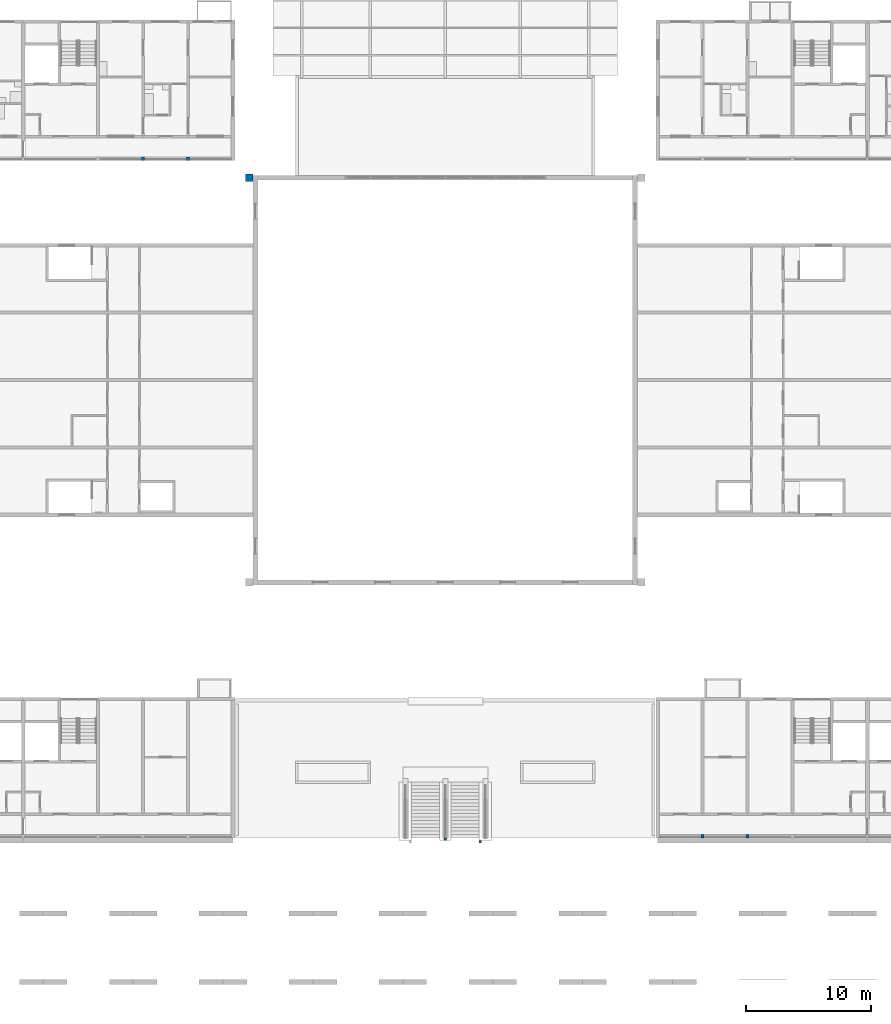
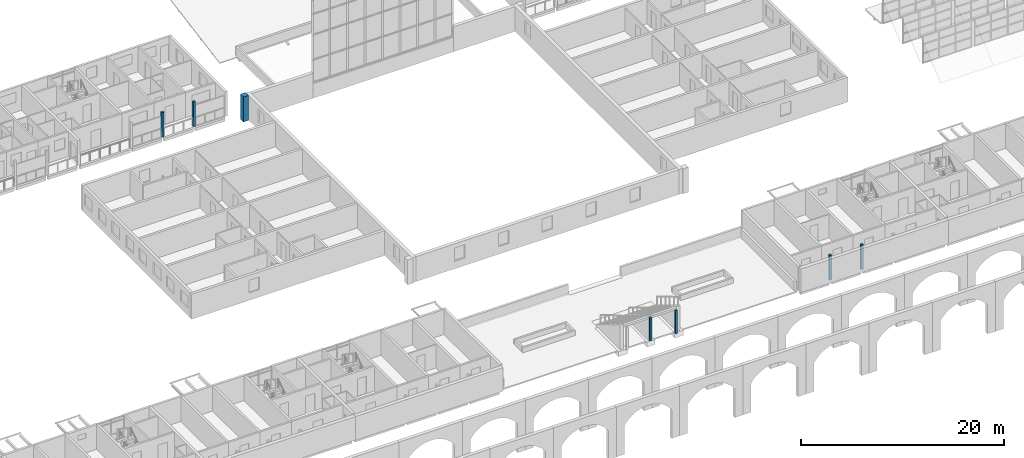
# One storey, part 5 of 122: 7 columns.
"""IFC4 building model written with IfcOpenShell, lengths in metres."""

import ifcopenshell
import ifcopenshell.guid

model = None  # the IFC model being written
_history = None  # IfcOwnerHistory: only IFC2X3 demands one
_inside = {}  # id of a spatial element -> (the spatial element, [elements in it])
_under = {}  # id of a project, library or spatial element -> (it, [spatial elements below it])
_declared = {}  # id of a project -> (the project, [libraries it declares])
_typed = {}  # id of a type object -> (the type object, [elements of that type])
_made_of = {}  # id of a material, layer set ... -> (it, [elements and type objects made of it])


def new_model(schema):
    """Start an empty IFC model of exactly this schema.

    Asked for "IFC4X3", IfcOpenShell would pick the latest addendum, in which some entities
    have other attributes; the version numbers below select the first issue.
    IFC2X3 requires an IfcOwnerHistory on every rooted entity: one is made here for all.
    """
    global model, _history
    if schema == "IFC4X3":
        model = ifcopenshell.file(schema_version=(4, 3, 0, 0))
    else:
        model = ifcopenshell.file(schema=schema)
    _inside.clear()
    _under.clear()
    _declared.clear()
    _typed.clear()
    _made_of.clear()
    _history = None
    if model.schema == "IFC2X3":
        org = make("IfcOrganization", Name="unknown")
        user = make(
            "IfcPersonAndOrganization",
            ThePerson=make("IfcPerson", FamilyName="unknown"),
            TheOrganization=org,
        )
        app = make(
            "IfcApplication",
            ApplicationDeveloper=org,
            Version="unknown",
            ApplicationFullName="unknown",
            ApplicationIdentifier="unknown",
        )
        _history = make(
            "IfcOwnerHistory",
            OwningUser=user,
            OwningApplication=app,
            ChangeAction="ADDED",
            CreationDate=0,
        )
    return model


def make(cls, **values):
    """One entity of the class cls with the attributes given. An attribute that is None is left unset."""
    return model.create_entity(
        cls, **{name: value for name, value in values.items() if value is not None}
    )


def rooted(cls, **values):
    """An entity with a GlobalId (a new one), such as an element, a storey or a relation."""
    return make(cls, GlobalId=ifcopenshell.guid.new(), OwnerHistory=_history, **values)


def si_unit(unit_type, name, prefix=None):
    """IfcSIUnit, for example si_unit("LENGTHUNIT", "METRE", prefix="MILLI")."""
    return make("IfcSIUnit", UnitType=unit_type, Prefix=prefix, Name=name)


def assignment(units):
    """IfcUnitAssignment: the units of a project."""
    return None if units is None else make("IfcUnitAssignment", Units=units)


def point(xyz):
    """IfcCartesianPoint."""
    return None if xyz is None else make("IfcCartesianPoint", Coordinates=xyz)


def direction(xyz):
    """IfcDirection."""
    return None if xyz is None else make("IfcDirection", DirectionRatios=xyz)


def frame(location, z_axis=None, x_axis=None):
    """IfcAxis2Placement3D, a coordinate frame: its origin and axes. An axis left out is left unset."""
    return make(
        "IfcAxis2Placement3D",
        Location=point(location),
        Axis=direction(z_axis),
        RefDirection=direction(x_axis),
    )


def frame_2d(location, x_axis=None):
    """IfcAxis2Placement2D, a coordinate frame in the plane: its origin and x axis."""
    return make(
        "IfcAxis2Placement2D", Location=point(location), RefDirection=direction(x_axis)
    )


def origin():
    """The frame at (0, 0, 0) with its axes left unset."""
    return frame((0.0, 0.0, 0.0))


def origin_2d():
    """The frame at (0, 0) in the plane with its x axis left unset."""
    return frame_2d((0.0, 0.0))


def place(relative_to, where):
    """IfcLocalPlacement: puts the frame where relative to a parent placement (None: the world)."""
    return make(
        "IfcLocalPlacement", PlacementRelTo=relative_to, RelativePlacement=where
    )


def context(
    kind, dimensions, precision=None, world=None, true_north=None, identifier=None
):
    """IfcGeometricRepresentationContext, for example the 3D "Model" context."""
    return make(
        "IfcGeometricRepresentationContext",
        ContextIdentifier=identifier,
        ContextType=kind,
        CoordinateSpaceDimension=dimensions,
        Precision=precision,
        WorldCoordinateSystem=world,
        TrueNorth=true_north,
    )


def subcontext(parent, identifier, kind, view, scale=None):
    """IfcGeometricRepresentationSubContext, for example "Body" below "Model"."""
    return make(
        "IfcGeometricRepresentationSubContext",
        ContextIdentifier=identifier,
        ContextType=kind,
        ParentContext=parent,
        TargetScale=scale,
        TargetView=view,
    )


def project(units=None, contexts=None):
    """IfcProject with its units and contexts."""
    return rooted(
        "IfcProject",
        Name="project",
        RepresentationContexts=contexts,
        UnitsInContext=assignment(units),
    )


def spatial(cls, under=None, at=None, **own):
    """A site, building, storey or space (cls), placed at a placement, below another one or the project."""
    s = rooted(cls, ObjectPlacement=at, **own)
    if under is not None:
        _under.setdefault(under.id(), (under, []))[1].append(s)
    return s


def profile(cls, at=None, kind="AREA", **sizes):
    """A parametric profile (cls). Its sizes go by their IFC names, for example OverallWidth=200.0."""
    return make(cls, ProfileType=kind, Position=at, **sizes)


def rectangle(**sizes):
    """IfcRectangleProfileDef."""
    return profile("IfcRectangleProfileDef", **sizes)


def extrude(swept, where, along, depth):
    """IfcExtrudedAreaSolid: the profile swept, set in the frame where, extruded along a direction by depth."""
    return make(
        "IfcExtrudedAreaSolid",
        SweptArea=swept,
        Position=where,
        ExtrudedDirection=direction(along),
        Depth=depth,
    )


def shape(context_of_items, identifier, shape_type, items):
    """IfcShapeRepresentation: the items that make up one representation, for example the "Body"."""
    return make(
        "IfcShapeRepresentation",
        ContextOfItems=context_of_items,
        RepresentationIdentifier=identifier,
        RepresentationType=shape_type,
        Items=items,
    )


def material(Name=None, Category=None):
    """IfcMaterial."""
    return make("IfcMaterial", Name=Name, Category=Category)


def material_profile(
    of_material, cross_section, Name=None, Category=None, Priority=None
):
    """IfcMaterialProfile: a cross section and its material."""
    return make(
        "IfcMaterialProfile",
        Name=Name,
        Material=of_material,
        Profile=cross_section,
        Priority=Priority,
        Category=Category,
    )


def profile_set(profiles, Name=None, composite=None):
    """IfcMaterialProfileSet."""
    return make(
        "IfcMaterialProfileSet",
        Name=Name,
        MaterialProfiles=profiles,
        CompositeProfile=composite,
    )


def made_of(thing, what):
    """Note that an element or type object is made of a material, layer set ...; save() writes the relation."""
    if what is not None:
        _made_of.setdefault(what.id(), (what, []))[1].append(thing)
    return thing


def type_object(cls, material=None, **own):
    """A type object (cls), such as IfcWallType, which elements share."""
    return made_of(rooted(cls, **own), material)


def element(
    cls,
    number,
    at=None,
    inside=None,
    cuts=None,
    type_object=None,
    material=None,
    context=None,
    identifier="Body",
    shape_type=None,
    held_by="IfcProductDefinitionShape",
    body=None,
    shapes=None,
    **own,
):
    """One element of the class cls, such as IfcWall. Its Tag is "e" and its number.

    at: its placement. inside: the storey or other place that contains it. cuts: it is an
    opening in that element (IfcRelVoidsElement). A single representation is given by context,
    identifier, shape_type and body (its items); several are given by shapes. held_by: the class
    of the entity that holds the representations. save() writes the other relations.
    """
    e = rooted(cls, Tag="e%d" % number, ObjectPlacement=at, **own)
    if body is not None:
        shapes = [shape(context, identifier, shape_type, body)]
    if shapes is not None:
        e.Representation = make(held_by, Representations=shapes)
    if inside is not None:
        _inside.setdefault(inside.id(), (inside, []))[1].append(e)
    if cuts is not None:
        rooted(
            "IfcRelVoidsElement", RelatingBuildingElement=cuts, RelatedOpeningElement=e
        )
    if type_object is not None:
        _typed.setdefault(type_object.id(), (type_object, []))[1].append(e)
    return made_of(e, material)


def aggregate(whole, parts):
    """IfcRelAggregates: a whole, such as a stair, and the parts it consists of."""
    return rooted("IfcRelAggregates", RelatingObject=whole, RelatedObjects=parts)


def save(model, path):
    """Write the relations noted so far, then the file.

    IfcRelAggregates (storeys below a building ...), IfcRelContainedInSpatialStructure (elements
    in a storey), IfcRelDefinesByType, IfcRelAssociatesMaterial and IfcRelDeclares: one each for
    every whole, place, type object, material and project.
    """
    for whole, parts in _under.values():
        aggregate(whole, parts)
    for where, things in _inside.values():
        rooted(
            "IfcRelContainedInSpatialStructure",
            RelatedElements=things,
            RelatingStructure=where,
        )
    for kind, things in _typed.values():
        rooted("IfcRelDefinesByType", RelatedObjects=things, RelatingType=kind)
    for what, things in _made_of.values():
        rooted("IfcRelAssociatesMaterial", RelatedObjects=things, RelatingMaterial=what)
    for by, libraries in _declared.values():
        rooted("IfcRelDeclares", RelatingContext=by, RelatedDefinitions=libraries)
    model.write(path)


model = new_model("IFC4")

# Units and contexts
model_context = context("Model", 3, precision=1e-05, world=origin(), true_north=direction((0.0, 1.0)))
body_context = subcontext(model_context, "Body", "Model", "MODEL_VIEW")
ifc_project = project(units=[si_unit("LENGTHUNIT", "METRE"), si_unit("AREAUNIT", "SQUARE_METRE"), si_unit("VOLUMEUNIT", "CUBIC_METRE"), si_unit("PLANEANGLEUNIT", "RADIAN"), si_unit("MASSUNIT", "GRAM", prefix="KILO")], contexts=[model_context])

# Site, building, storey
site_placement = place(None, origin())
site = spatial("IfcSite", under=ifc_project, at=site_placement, CompositionType="ELEMENT")
building_placement = place(site_placement, origin())
building = spatial("IfcBuilding", under=site, at=building_placement, Name="Ridgestep Commons", CompositionType="ELEMENT")
storey_placement = place(building_placement, frame((0.0, 0.0, 3.0)))
storey = spatial("IfcBuildingStorey", under=building, at=storey_placement, Name="L01", CompositionType="ELEMENT", Elevation=3.0)

# Columns
ifc_material_1 = material(Name="Precast concrete C40/50", Category="concrete")
ifc_material_profile_1 = material_profile(ifc_material_1, rectangle(XDim=0.60009765625, YDim=0.60009765625, at=origin_2d()), Name="Buttress pier 600 x 600")
ifc_profile_set_1 = profile_set([ifc_material_profile_1], Name="Precast concrete C40/50")
column_type_1 = type_object("IfcColumnType", Name="Buttress pier 600 x 600", PredefinedType="COLUMN", material=ifc_profile_set_1)
column_placement = place(storey_placement, frame((114.10009765625, 64.60009765625, 0.0), z_axis=(0.0, 0.0, 1.0), x_axis=(1.0, 0.0, 0.0)))
element("IfcColumn", 1, at=column_placement, inside=storey, type_object=column_type_1, Name="Hall vault buttress pier", PredefinedType="COLUMN", context=body_context, shape_type="SweptSolid", body=[
    extrude(rectangle(XDim=0.60009765625, YDim=0.60009765625, at=origin_2d()), origin(), (0.0, 0.0, 1.0), 3.0),
])
ifc_material_2 = material(Name="Precast concrete C40/50", Category="concrete")
ifc_material_profile_2 = material_profile(ifc_material_2, rectangle(XDim=0.199951171875, YDim=0.199951171875, at=origin_2d()), Name="Community landing post 200")
ifc_profile_set_2 = profile_set([ifc_material_profile_2], Name="Precast concrete C40/50")
column_type_2 = type_object("IfcColumnType", Name="Community landing post 200", PredefinedType="COLUMN", material=ifc_profile_set_2)
for number, where, z_axis, x_axis, name in (
    (2, (132.60009765625, 11.449951171875, 0.0), (0.0, 0.0, 1.0), (1.0, 0.0, 0.0), "Landing post"),
    (3, (129.800048828125, 11.64990234375, 0.0), (0.0, 0.0, 1.0), (1.0, 0.0, 0.0), "Landing post"),
):
    element("IfcColumn", number, at=place(storey_placement, frame(where, z_axis=z_axis, x_axis=x_axis)), inside=storey, type_object=column_type_2, Name=name, PredefinedType="COLUMN", context=body_context, shape_type="SweptSolid", body=[
        extrude(rectangle(XDim=0.199951171875, YDim=0.199951171875, at=origin_2d()), origin(), (0.0, 0.0, 1.0), 2.800048828125),
    ])
ifc_material_3 = material(Name="Precast concrete C40/50", Category="concrete")
ifc_material_profile_3 = material_profile(ifc_material_3, rectangle(XDim=0.25, YDim=0.25, at=origin_2d()), Name="PC 250x250")
ifc_profile_set_3 = profile_set([ifc_material_profile_3], Name="Precast concrete C40/50")
column_type_3 = type_object("IfcColumnType", Name="Loggia column 250 x 250", PredefinedType="COLUMN", material=ifc_profile_set_3)
for number, where, z_axis, x_axis, name in (
    (4, (105.60009765625, 66.125, 0.0), (0.0, 0.0, 1.0), (1.0, 0.0, 0.0), "Loggia column B L01"),
    (5, (109.199951171875, 66.125, 0.0), (0.0, 0.0, 1.0), (1.0, 0.0, 0.0), "Loggia column B L01"),
    (6, (150.39990234375, 11.875, 0.0), (0.0, 0.0, 1.0), (1.0, 0.0, 0.0), "Loggia column D L01"),
    (7, (154.0, 11.875, 0.0), (0.0, 0.0, 1.0), (1.0, 0.0, 0.0), "Loggia column D L01"),
):
    element("IfcColumn", number, at=place(storey_placement, frame(where, z_axis=z_axis, x_axis=x_axis)), inside=storey, type_object=column_type_3, Name=name, PredefinedType="COLUMN", context=body_context, shape_type="SweptSolid", body=[
        extrude(rectangle(XDim=0.25, YDim=0.25, at=origin_2d()), origin(), (0.0, 0.0, 1.0), 3.0),
    ])

save(model, "model.ifc")
